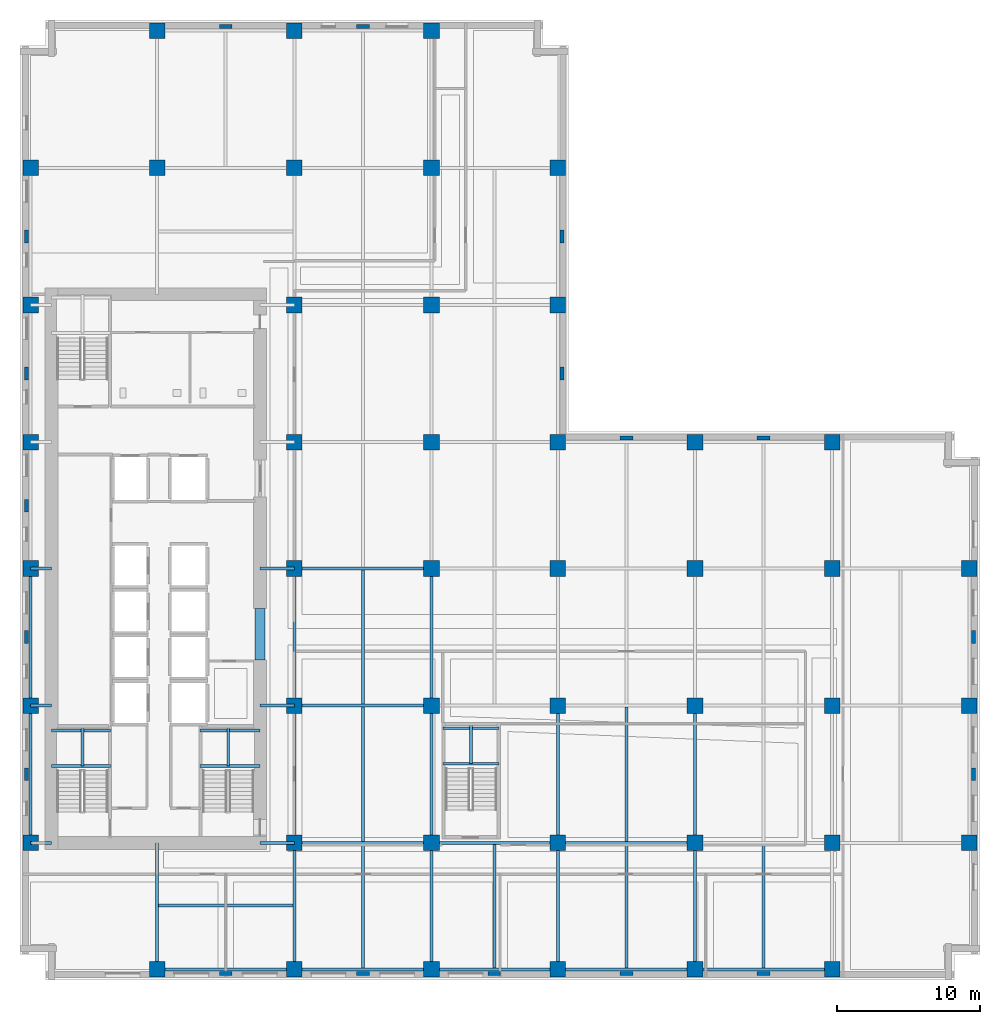
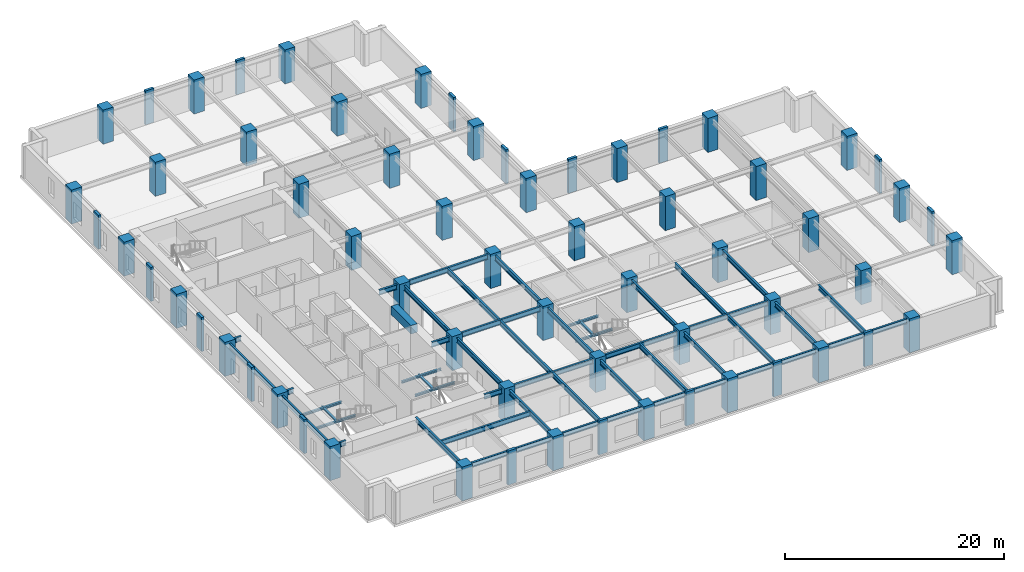
# One storey, part 1 of 13: 63 columns, 47 beams.
"""IFC4 building model written with IfcOpenShell, lengths in metres."""

from ifc_helpers import new_model, si_unit, direction, frame, origin, origin_2d, place, context, subcontext, project, spatial, rectangle, i_section, extrude, material, material_profile, profile_set, type_object, element, save


model = new_model("IFC4")

# Units and contexts
model_context = context("Model", 3, precision=1e-05, world=origin(), true_north=direction((0.0, 1.0)))
body_context = subcontext(model_context, "Body", "Model", "MODEL_VIEW")
ifc_project = project(units=[si_unit("LENGTHUNIT", "METRE"), si_unit("AREAUNIT", "SQUARE_METRE"), si_unit("VOLUMEUNIT", "CUBIC_METRE"), si_unit("PLANEANGLEUNIT", "RADIAN"), si_unit("MASSUNIT", "GRAM", prefix="KILO")], contexts=[model_context])

# Site, building, storey
site_placement = place(None, origin())
site = spatial("IfcSite", under=ifc_project, at=site_placement, CompositionType="ELEMENT")
building_placement = place(site_placement, origin())
building = spatial("IfcBuilding", under=site, at=building_placement, Name="Norrvale University Quadrangle", CompositionType="ELEMENT")
storey_placement = place(building_placement, frame((0.0, 0.0, 77.39990234375)))
storey = spatial("IfcBuildingStorey", under=building, at=storey_placement, Name="L19", CompositionType="ELEMENT", Elevation=77.39990234375)

# Columns
ifc_material_1 = material(Name="Buff Brick Concrete C60/75", Category="concrete")
ifc_material_profile_1 = material_profile(ifc_material_1, rectangle(XDim=0.89990234375, YDim=0.280029296875, at=origin_2d()), Name="Buff Brick Concrete C60/75")
ifc_profile_set_1 = profile_set([ifc_material_profile_1], Name="Buff Brick Concrete C60/75")
column_type_1 = type_object("IfcColumnType", Name="Column Buff Pier 900x280", PredefinedType="PILASTER", material=ifc_profile_set_1)
for number, where, z_axis, x_axis, name in (
    (1, (0.449951171875, 14.39990234375, 0.0), (0.0, 0.0, 1.0), (0.0, 1.0, 0.0), "Exterior Brick Facade Pilaster L19-01"),
    (2, (0.449951171875, 24.0, 0.0), (0.0, 0.0, 1.0), (0.0, 1.0, 0.0), "Exterior Brick Facade Pilaster L19-02"),
    (3, (0.449951171875, 33.199951171875, 0.0), (0.0, 0.0, 1.0), (0.0, 1.0, 0.0), "Exterior Brick Facade Pilaster L19-03"),
    (4, (0.449951171875, 42.449951171875, 0.0), (0.0, 0.0, 1.0), (0.0, 1.0, 0.0), "Exterior Brick Facade Pilaster L19-04"),
    (5, (0.449951171875, 52.050048828125, 0.0), (0.0, 0.0, 1.0), (0.0, 1.0, 0.0), "Exterior Brick Facade Pilaster L19-05"),
    (6, (14.39990234375, 0.449951171875, 0.0), (0.0, 0.0, 1.0), (1.0, 0.0, 0.0), "Exterior Brick Facade Pilaster L19-06"),
    (7, (24.0, 0.449951171875, 0.0), (0.0, 0.0, 1.0), (1.0, 0.0, 0.0), "Exterior Brick Facade Pilaster L19-07"),
    (8, (33.199951171875, 0.449951171875, 0.0), (0.0, 0.0, 1.0), (1.0, 0.0, 0.0), "Exterior Brick Facade Pilaster L19-08"),
    (9, (42.449951171875, 0.449951171875, 0.0), (0.0, 0.0, 1.0), (1.0, 0.0, 0.0), "Exterior Brick Facade Pilaster L19-09"),
    (10, (52.050048828125, 0.449951171875, 0.0), (0.0, 0.0, 1.0), (1.0, 0.0, 0.0), "Exterior Brick Facade Pilaster L19-10"),
    (11, (66.75, 14.39990234375, 0.0), (0.0, 0.0, 1.0), (0.0, 1.0, 0.0), "Exterior Brick Facade Pilaster L19-11"),
    (12, (66.75, 24.0, 0.0), (0.0, 0.0, 1.0), (0.0, 1.0, 0.0), "Exterior Brick Facade Pilaster L19-12"),
    (13, (14.39990234375, 66.75, 0.0), (0.0, 0.0, 1.0), (1.0, 0.0, 0.0), "Exterior Brick Facade Pilaster L19-13"),
    (14, (24.0, 66.75, 0.0), (0.0, 0.0, 1.0), (1.0, 0.0, 0.0), "Exterior Brick Facade Pilaster L19-14"),
    (15, (37.949951171875, 42.449951171875, 0.0), (0.0, 0.0, 1.0), (0.0, 1.0, 0.0), "Exterior Brick Facade Pilaster L19-15"),
    (16, (37.949951171875, 52.050048828125, 0.0), (0.0, 0.0, 1.0), (0.0, 1.0, 0.0), "Exterior Brick Facade Pilaster L19-16"),
    (17, (42.449951171875, 37.949951171875, 0.0), (0.0, 0.0, 1.0), (1.0, 0.0, 0.0), "Exterior Brick Facade Pilaster L19-17"),
    (18, (52.050048828125, 37.949951171875, 0.0), (0.0, 0.0, 1.0), (1.0, 0.0, 0.0), "Exterior Brick Facade Pilaster L19-18"),
):
    element("IfcColumn", number, at=place(storey_placement, frame(where, z_axis=z_axis, x_axis=x_axis)), inside=storey, type_object=column_type_1, Name=name, PredefinedType="PILASTER", context=body_context, shape_type="SweptSolid", body=[
        extrude(rectangle(XDim=0.89990234375, YDim=0.280029296875, at=origin_2d()), origin(), (0.0, 0.0, 1.0), 3.800048828125),
    ])
ifc_material_2 = material(Name="Concrete C80/95", Category="concrete")
ifc_material_profile_2 = material_profile(ifc_material_2, rectangle(XDim=1.10009765625, YDim=1.10009765625, at=origin_2d()), Name="Concrete C80/95")
ifc_profile_set_2 = profile_set([ifc_material_profile_2], Name="Concrete C80/95")
column_type_2 = type_object("IfcColumnType", Name="Column Tower Z1 1100x1100", PredefinedType="COLUMN", material=ifc_profile_set_2)
for number, where, z_axis, x_axis, name in (
    (19, (0.75, 9.60009765625, 0.0), (0.0, 0.0, 1.0), (1.0, 0.0, 0.0), "Tower Column L19-T01"),
    (20, (0.75, 19.199951171875, 0.0), (0.0, 0.0, 1.0), (1.0, 0.0, 0.0), "Tower Column L19-T02"),
    (21, (0.75, 28.800048828125, 0.0), (0.0, 0.0, 1.0), (1.0, 0.0, 0.0), "Tower Column L19-T03"),
    (22, (0.75, 37.64990234375, 0.0), (0.0, 0.0, 1.0), (1.0, 0.0, 0.0), "Tower Column L19-T04"),
    (23, (0.75, 47.25, 0.0), (0.0, 0.0, 1.0), (1.0, 0.0, 0.0), "Tower Column L19-T05"),
    (24, (0.75, 56.85009765625, 0.0), (0.0, 0.0, 1.0), (1.0, 0.0, 0.0), "Tower Column L19-T06"),
    (25, (9.60009765625, 0.75, 0.0), (0.0, 0.0, 1.0), (1.0, 0.0, 0.0), "Tower Column L19-T07"),
    (26, (9.60009765625, 56.85009765625, 0.0), (0.0, 0.0, 1.0), (1.0, 0.0, 0.0), "Tower Column L19-T08"),
    (27, (9.60009765625, 66.449951171875, 0.0), (0.0, 0.0, 1.0), (1.0, 0.0, 0.0), "Tower Column L19-T09"),
    (28, (19.199951171875, 0.75, 0.0), (0.0, 0.0, 1.0), (1.0, 0.0, 0.0), "Tower Column L19-T10"),
    (29, (19.199951171875, 9.60009765625, 0.0), (0.0, 0.0, 1.0), (1.0, 0.0, 0.0), "Tower Column L19-T11"),
    (30, (19.199951171875, 19.199951171875, 0.0), (0.0, 0.0, 1.0), (1.0, 0.0, 0.0), "Tower Column L19-T12"),
    (31, (19.199951171875, 28.800048828125, 0.0), (0.0, 0.0, 1.0), (1.0, 0.0, 0.0), "Tower Column L19-T13"),
    (32, (19.199951171875, 37.64990234375, 0.0), (0.0, 0.0, 1.0), (1.0, 0.0, 0.0), "Tower Column L19-T14"),
    (33, (19.199951171875, 47.25, 0.0), (0.0, 0.0, 1.0), (1.0, 0.0, 0.0), "Tower Column L19-T15"),
    (34, (19.199951171875, 56.85009765625, 0.0), (0.0, 0.0, 1.0), (1.0, 0.0, 0.0), "Tower Column L19-T16"),
    (35, (19.199951171875, 66.449951171875, 0.0), (0.0, 0.0, 1.0), (1.0, 0.0, 0.0), "Tower Column L19-T17"),
    (36, (28.800048828125, 0.75, 0.0), (0.0, 0.0, 1.0), (1.0, 0.0, 0.0), "Tower Column L19-T18"),
    (37, (28.800048828125, 9.60009765625, 0.0), (0.0, 0.0, 1.0), (1.0, 0.0, 0.0), "Tower Column L19-T19"),
    (38, (28.800048828125, 19.199951171875, 0.0), (0.0, 0.0, 1.0), (1.0, 0.0, 0.0), "Tower Column L19-T20"),
    (39, (28.800048828125, 28.800048828125, 0.0), (0.0, 0.0, 1.0), (1.0, 0.0, 0.0), "Tower Column L19-T21"),
    (40, (28.800048828125, 37.64990234375, 0.0), (0.0, 0.0, 1.0), (1.0, 0.0, 0.0), "Tower Column L19-T22"),
    (41, (28.800048828125, 47.25, 0.0), (0.0, 0.0, 1.0), (1.0, 0.0, 0.0), "Tower Column L19-T23"),
    (42, (28.800048828125, 56.85009765625, 0.0), (0.0, 0.0, 1.0), (1.0, 0.0, 0.0), "Tower Column L19-T24"),
    (43, (28.800048828125, 66.449951171875, 0.0), (0.0, 0.0, 1.0), (1.0, 0.0, 0.0), "Tower Column L19-T25"),
    (44, (37.64990234375, 0.75, 0.0), (0.0, 0.0, 1.0), (1.0, 0.0, 0.0), "Tower Column L19-T26"),
    (45, (37.64990234375, 9.60009765625, 0.0), (0.0, 0.0, 1.0), (1.0, 0.0, 0.0), "Tower Column L19-T27"),
    (46, (37.64990234375, 19.199951171875, 0.0), (0.0, 0.0, 1.0), (1.0, 0.0, 0.0), "Tower Column L19-T28"),
    (47, (37.64990234375, 28.800048828125, 0.0), (0.0, 0.0, 1.0), (1.0, 0.0, 0.0), "Tower Column L19-T29"),
    (48, (37.64990234375, 37.64990234375, 0.0), (0.0, 0.0, 1.0), (1.0, 0.0, 0.0), "Tower Column L19-T30"),
    (49, (37.64990234375, 47.25, 0.0), (0.0, 0.0, 1.0), (1.0, 0.0, 0.0), "Tower Column L19-T31"),
    (50, (37.64990234375, 56.85009765625, 0.0), (0.0, 0.0, 1.0), (1.0, 0.0, 0.0), "Tower Column L19-T32"),
    (51, (47.25, 0.75, 0.0), (0.0, 0.0, 1.0), (1.0, 0.0, 0.0), "Tower Column L19-T33"),
    (52, (47.25, 9.60009765625, 0.0), (0.0, 0.0, 1.0), (1.0, 0.0, 0.0), "Tower Column L19-T34"),
    (53, (47.25, 19.199951171875, 0.0), (0.0, 0.0, 1.0), (1.0, 0.0, 0.0), "Tower Column L19-T35"),
    (54, (47.25, 28.800048828125, 0.0), (0.0, 0.0, 1.0), (1.0, 0.0, 0.0), "Tower Column L19-T36"),
    (55, (47.25, 37.64990234375, 0.0), (0.0, 0.0, 1.0), (1.0, 0.0, 0.0), "Tower Column L19-T37"),
    (56, (56.85009765625, 0.75, 0.0), (0.0, 0.0, 1.0), (1.0, 0.0, 0.0), "Tower Column L19-T38"),
    (57, (56.85009765625, 9.60009765625, 0.0), (0.0, 0.0, 1.0), (1.0, 0.0, 0.0), "Tower Column L19-T39"),
    (58, (56.85009765625, 19.199951171875, 0.0), (0.0, 0.0, 1.0), (1.0, 0.0, 0.0), "Tower Column L19-T40"),
    (59, (56.85009765625, 28.800048828125, 0.0), (0.0, 0.0, 1.0), (1.0, 0.0, 0.0), "Tower Column L19-T41"),
    (60, (56.85009765625, 37.64990234375, 0.0), (0.0, 0.0, 1.0), (1.0, 0.0, 0.0), "Tower Column L19-T42"),
    (61, (66.449951171875, 9.60009765625, 0.0), (0.0, 0.0, 1.0), (1.0, 0.0, 0.0), "Tower Column L19-T43"),
    (62, (66.449951171875, 19.199951171875, 0.0), (0.0, 0.0, 1.0), (1.0, 0.0, 0.0), "Tower Column L19-T44"),
    (63, (66.449951171875, 28.800048828125, 0.0), (0.0, 0.0, 1.0), (1.0, 0.0, 0.0), "Tower Column L19-T45"),
):
    element("IfcColumn", number, at=place(storey_placement, frame(where, z_axis=z_axis, x_axis=x_axis)), inside=storey, type_object=column_type_2, Name=name, PredefinedType="COLUMN", context=body_context, shape_type="SweptSolid", body=[
        extrude(rectangle(XDim=1.10009765625, YDim=1.10009765625, at=origin_2d()), origin(), (0.0, 0.0, 1.0), 3.800048828125),
    ])

# Beams
ifc_material_profile_3 = material_profile(ifc_material_2, rectangle(XDim=0.699951171875, YDim=0.949951171875, at=origin_2d()), Name="Concrete C80/95")
ifc_profile_set_3 = profile_set([ifc_material_profile_3], Name="Concrete C80/95")
beam_type_1 = type_object("IfcBeamType", Name="Beam Core Link 700x950", PredefinedType="LINTEL", material=ifc_profile_set_3)
beam_1_placement = place(storey_placement, frame((16.800048828125, 22.39990234375, 3.065185546875), z_axis=(0.0, 1.0, 0.0), x_axis=(-1.0, 0.0, 0.0)))
element("IfcBeam", 64, at=beam_1_placement, inside=storey, type_object=beam_type_1, Name="Core Coupling Lintel Beam L19-1", PredefinedType="LINTEL", context=body_context, shape_type="SweptSolid", body=[
    extrude(rectangle(XDim=0.699951171875, YDim=0.949951171875, at=origin_2d()), origin(), (0.0, 0.0, 1.0), 3.60009765625),
])
ifc_material_3 = material(Name="Steel 350W", Category="steel")
ifc_material_profile_4 = material_profile(ifc_material_3, i_section(OverallWidth=0.2119140625, OverallDepth=0.5439453125, WebThickness=0.01318359375, FlangeThickness=0.021240234375, FilletRadius=0.013916015625, at=origin_2d()), Name="Steel 350W")
ifc_profile_set_4 = profile_set([ifc_material_profile_4], Name="Steel 350W")
beam_type_2 = type_object("IfcBeamType", Name="Beam Floor W530x123", PredefinedType="BEAM", material=ifc_profile_set_4)
beam_2_placement = place(storey_placement, frame((9.60009765625, 0.75, 3.26806640625), z_axis=(1.0, 0.0, 0.0), x_axis=(0.0, 1.0, 0.0)))
element("IfcBeam", 65, at=beam_2_placement, inside=storey, type_object=beam_type_2, Name="Beam Floor W530x123 BM-L19-GX001", PredefinedType="BEAM", context=body_context, shape_type="SweptSolid", body=[
    extrude(i_section(OverallWidth=0.2119140625, OverallDepth=0.5439453125, WebThickness=0.01318359375, FlangeThickness=0.021240234375, FilletRadius=0.013916015625, at=origin_2d()), origin(), (0.0, 0.0, 1.0), 9.599853515625),
])
beam_3_placement = place(storey_placement, frame((19.199951171875, 0.75, 3.26806640625), z_axis=(1.0, 0.0, 0.0), x_axis=(0.0, 1.0, 0.0)))
element("IfcBeam", 66, at=beam_3_placement, inside=storey, type_object=beam_type_2, Name="Beam Floor W530x123 BM-L19-GX002", PredefinedType="BEAM", context=body_context, shape_type="SweptSolid", body=[
    extrude(i_section(OverallWidth=0.2119140625, OverallDepth=0.5439453125, WebThickness=0.01318359375, FlangeThickness=0.021240234375, FilletRadius=0.013916015625, at=origin_2d()), origin(), (0.0, 0.0, 1.0), 9.60009765625),
])
beam_4_placement = place(storey_placement, frame((28.800048828125, 0.75, 3.26806640625), z_axis=(1.0, 0.0, 0.0), x_axis=(0.0, 1.0, 0.0)))
element("IfcBeam", 67, at=beam_4_placement, inside=storey, type_object=beam_type_2, Name="Beam Floor W530x123 BM-L19-GX003", PredefinedType="BEAM", context=body_context, shape_type="SweptSolid", body=[
    extrude(i_section(OverallWidth=0.2119140625, OverallDepth=0.5439453125, WebThickness=0.01318359375, FlangeThickness=0.021240234375, FilletRadius=0.013916015625, at=origin_2d()), origin(), (0.0, 0.0, 1.0), 8.849853515625),
])
for number, where, z_axis, x_axis, name in (
    (68, (37.64990234375, 0.75, 3.26806640625), (1.0, 0.0, 0.0), (0.0, 1.0, 0.0), "Beam Floor W530x123 BM-L19-GX004"),
    (69, (47.25, 0.75, 3.26806640625), (1.0, 0.0, 0.0), (0.0, 1.0, 0.0), "Beam Floor W530x123 BM-L19-GX005"),
    (70, (19.199951171875, 9.60009765625, 3.26806640625), (1.0, 0.0, 0.0), (0.0, 1.0, 0.0), "Beam Floor W530x123 BM-L19-GX006"),
):
    element("IfcBeam", number, at=place(storey_placement, frame(where, z_axis=z_axis, x_axis=x_axis)), inside=storey, type_object=beam_type_2, Name=name, PredefinedType="BEAM", context=body_context, shape_type="SweptSolid", body=[
        extrude(i_section(OverallWidth=0.2119140625, OverallDepth=0.5439453125, WebThickness=0.01318359375, FlangeThickness=0.021240234375, FilletRadius=0.013916015625, at=origin_2d()), origin(), (0.0, 0.0, 1.0), 9.60009765625),
    ])
beam_5_placement = place(storey_placement, frame((28.800048828125, 9.60009765625, 3.26806640625), z_axis=(1.0, 0.0, 0.0), x_axis=(0.0, 1.0, 0.0)))
element("IfcBeam", 71, at=beam_5_placement, inside=storey, type_object=beam_type_2, Name="Beam Floor W530x123 BM-L19-GX007", PredefinedType="BEAM", context=body_context, shape_type="SweptSolid", body=[
    extrude(i_section(OverallWidth=0.2119140625, OverallDepth=0.5439453125, WebThickness=0.01318359375, FlangeThickness=0.021240234375, FilletRadius=0.013916015625, at=origin_2d()), origin(), (0.0, 0.0, 1.0), 8.849853515625),
])
for number, where, z_axis, x_axis, name in (
    (72, (37.64990234375, 9.60009765625, 3.26806640625), (1.0, 0.0, 0.0), (0.0, 1.0, 0.0), "Beam Floor W530x123 BM-L19-GX008"),
    (73, (19.199951171875, 19.199951171875, 3.26806640625), (1.0, 0.0, 0.0), (0.0, 1.0, 0.0), "Beam Floor W530x123 BM-L19-GX011"),
    (74, (19.199951171875, 28.800048828125, 3.26806640625), (1.0, 0.0, 0.0), (0.0, 1.0, 0.0), "Beam Floor W530x123 BM-L19-GX016"),
):
    element("IfcBeam", number, at=place(storey_placement, frame(where, z_axis=z_axis, x_axis=x_axis)), inside=storey, type_object=beam_type_2, Name=name, PredefinedType="BEAM", context=body_context, shape_type="SweptSolid", body=[
        extrude(i_section(OverallWidth=0.2119140625, OverallDepth=0.5439453125, WebThickness=0.01318359375, FlangeThickness=0.021240234375, FilletRadius=0.013916015625, at=origin_2d()), origin(), (0.0, 0.0, 1.0), 9.60009765625),
    ])
beam_6_placement = place(storey_placement, frame((0.75, 9.60009765625, 3.26806640625), z_axis=(0.0, 1.0, 0.0), x_axis=(-1.0, 0.0, 0.0)))
element("IfcBeam", 75, at=beam_6_placement, inside=storey, type_object=beam_type_2, Name="Beam Floor W530x123 BM-L19-GY033", PredefinedType="BEAM", context=body_context, shape_type="SweptSolid", body=[
    extrude(i_section(OverallWidth=0.2119140625, OverallDepth=0.5439453125, WebThickness=0.01318359375, FlangeThickness=0.021240234375, FilletRadius=0.013916015625, at=origin_2d()), origin(), (0.0, 0.0, 1.0), 9.599853515625),
])
beam_7_placement = place(storey_placement, frame((0.75, 19.199951171875, 3.26806640625), z_axis=(0.0, 1.0, 0.0), x_axis=(-1.0, 0.0, 0.0)))
element("IfcBeam", 76, at=beam_7_placement, inside=storey, type_object=beam_type_2, Name="Beam Floor W530x123 BM-L19-GY034", PredefinedType="BEAM", context=body_context, shape_type="SweptSolid", body=[
    extrude(i_section(OverallWidth=0.2119140625, OverallDepth=0.5439453125, WebThickness=0.01318359375, FlangeThickness=0.021240234375, FilletRadius=0.013916015625, at=origin_2d()), origin(), (0.0, 0.0, 1.0), 9.60009765625),
])
beam_8_placement = place(storey_placement, frame((19.199951171875, 0.75, 3.26806640625), z_axis=(0.0, 1.0, 0.0), x_axis=(-1.0, 0.0, 0.0)))
element("IfcBeam", 77, at=beam_8_placement, inside=storey, type_object=beam_type_2, Name="Beam Floor W530x123 BM-L19-GY039", PredefinedType="BEAM", context=body_context, shape_type="SweptSolid", body=[
    extrude(i_section(OverallWidth=0.2119140625, OverallDepth=0.5439453125, WebThickness=0.01318359375, FlangeThickness=0.021240234375, FilletRadius=0.013916015625, at=origin_2d()), origin(), (0.0, 0.0, 1.0), 8.85009765625),
])
beam_9_placement = place(storey_placement, frame((19.199951171875, 9.60009765625, 3.26806640625), z_axis=(0.0, 1.0, 0.0), x_axis=(-1.0, 0.0, 0.0)))
element("IfcBeam", 78, at=beam_9_placement, inside=storey, type_object=beam_type_2, Name="Beam Floor W530x123 BM-L19-GY040", PredefinedType="BEAM", context=body_context, shape_type="SweptSolid", body=[
    extrude(i_section(OverallWidth=0.2119140625, OverallDepth=0.5439453125, WebThickness=0.01318359375, FlangeThickness=0.021240234375, FilletRadius=0.013916015625, at=origin_2d()), origin(), (0.0, 0.0, 1.0), 9.599853515625),
])
beam_10_placement = place(storey_placement, frame((19.199951171875, 19.199951171875, 3.26806640625), z_axis=(0.0, 1.0, 0.0), x_axis=(-1.0, 0.0, 0.0)))
element("IfcBeam", 79, at=beam_10_placement, inside=storey, type_object=beam_type_2, Name="Beam Floor W530x123 BM-L19-GY041", PredefinedType="BEAM", context=body_context, shape_type="SweptSolid", body=[
    extrude(i_section(OverallWidth=0.2119140625, OverallDepth=0.5439453125, WebThickness=0.01318359375, FlangeThickness=0.021240234375, FilletRadius=0.013916015625, at=origin_2d()), origin(), (0.0, 0.0, 1.0), 9.60009765625),
])
beam_11_placement = place(storey_placement, frame((28.800048828125, 0.75, 3.26806640625), z_axis=(0.0, 1.0, 0.0), x_axis=(-1.0, 0.0, 0.0)))
element("IfcBeam", 80, at=beam_11_placement, inside=storey, type_object=beam_type_2, Name="Beam Floor W530x123 BM-L19-GY046", PredefinedType="BEAM", context=body_context, shape_type="SweptSolid", body=[
    extrude(i_section(OverallWidth=0.2119140625, OverallDepth=0.5439453125, WebThickness=0.01318359375, FlangeThickness=0.021240234375, FilletRadius=0.013916015625, at=origin_2d()), origin(), (0.0, 0.0, 1.0), 8.85009765625),
])
beam_12_placement = place(storey_placement, frame((28.800048828125, 9.60009765625, 3.26806640625), z_axis=(0.0, 1.0, 0.0), x_axis=(-1.0, 0.0, 0.0)))
element("IfcBeam", 81, at=beam_12_placement, inside=storey, type_object=beam_type_2, Name="Beam Floor W530x123 BM-L19-GY047", PredefinedType="BEAM", context=body_context, shape_type="SweptSolid", body=[
    extrude(i_section(OverallWidth=0.2119140625, OverallDepth=0.5439453125, WebThickness=0.01318359375, FlangeThickness=0.021240234375, FilletRadius=0.013916015625, at=origin_2d()), origin(), (0.0, 0.0, 1.0), 9.599853515625),
])
beam_13_placement = place(storey_placement, frame((28.800048828125, 19.199951171875, 3.26806640625), z_axis=(0.0, 1.0, 0.0), x_axis=(-1.0, 0.0, 0.0)))
element("IfcBeam", 82, at=beam_13_placement, inside=storey, type_object=beam_type_2, Name="Beam Floor W530x123 BM-L19-GY048", PredefinedType="BEAM", context=body_context, shape_type="SweptSolid", body=[
    extrude(i_section(OverallWidth=0.2119140625, OverallDepth=0.5439453125, WebThickness=0.01318359375, FlangeThickness=0.021240234375, FilletRadius=0.013916015625, at=origin_2d()), origin(), (0.0, 0.0, 1.0), 9.60009765625),
])
beam_14_placement = place(storey_placement, frame((37.64990234375, 0.75, 3.26806640625), z_axis=(0.0, 1.0, 0.0), x_axis=(-1.0, 0.0, 0.0)))
element("IfcBeam", 83, at=beam_14_placement, inside=storey, type_object=beam_type_2, Name="Beam Floor W530x123 BM-L19-GY053", PredefinedType="BEAM", context=body_context, shape_type="SweptSolid", body=[
    extrude(i_section(OverallWidth=0.2119140625, OverallDepth=0.5439453125, WebThickness=0.01318359375, FlangeThickness=0.021240234375, FilletRadius=0.013916015625, at=origin_2d()), origin(), (0.0, 0.0, 1.0), 8.85009765625),
])
beam_15_placement = place(storey_placement, frame((37.64990234375, 9.60009765625, 3.26806640625), z_axis=(0.0, 1.0, 0.0), x_axis=(-1.0, 0.0, 0.0)))
element("IfcBeam", 84, at=beam_15_placement, inside=storey, type_object=beam_type_2, Name="Beam Floor W530x123 BM-L19-GY054", PredefinedType="BEAM", context=body_context, shape_type="SweptSolid", body=[
    extrude(i_section(OverallWidth=0.2119140625, OverallDepth=0.5439453125, WebThickness=0.01318359375, FlangeThickness=0.021240234375, FilletRadius=0.013916015625, at=origin_2d()), origin(), (0.0, 0.0, 1.0), 9.599853515625),
])
beam_16_placement = place(storey_placement, frame((47.25, 0.75, 3.26806640625), z_axis=(0.0, 1.0, 0.0), x_axis=(-1.0, 0.0, 0.0)))
element("IfcBeam", 85, at=beam_16_placement, inside=storey, type_object=beam_type_2, Name="Beam Floor W530x123 BM-L19-GY059", PredefinedType="BEAM", context=body_context, shape_type="SweptSolid", body=[
    extrude(i_section(OverallWidth=0.2119140625, OverallDepth=0.5439453125, WebThickness=0.01318359375, FlangeThickness=0.021240234375, FilletRadius=0.013916015625, at=origin_2d()), origin(), (0.0, 0.0, 1.0), 8.85009765625),
])
beam_17_placement = place(storey_placement, frame((47.25, 9.60009765625, 3.26806640625), z_axis=(0.0, 1.0, 0.0), x_axis=(-1.0, 0.0, 0.0)))
element("IfcBeam", 86, at=beam_17_placement, inside=storey, type_object=beam_type_2, Name="Beam Floor W530x123 BM-L19-GY060", PredefinedType="BEAM", context=body_context, shape_type="SweptSolid", body=[
    extrude(i_section(OverallWidth=0.2119140625, OverallDepth=0.5439453125, WebThickness=0.01318359375, FlangeThickness=0.021240234375, FilletRadius=0.013916015625, at=origin_2d()), origin(), (0.0, 0.0, 1.0), 9.599853515625),
])
beam_18_placement = place(storey_placement, frame((0.75, 9.60009765625, 3.26806640625), z_axis=(1.0, 0.0, 0.0), x_axis=(0.0, 1.0, 0.0)))
element("IfcBeam", 87, at=beam_18_placement, inside=storey, type_object=beam_type_2, Name="Beam Floor W530x123 BM-L19-GCW069", PredefinedType="BEAM", context=body_context, shape_type="SweptSolid", body=[
    extrude(i_section(OverallWidth=0.2119140625, OverallDepth=0.5439453125, WebThickness=0.01318359375, FlangeThickness=0.021240234375, FilletRadius=0.013916015625, at=origin_2d()), origin(), (0.0, 0.0, 1.0), 1.449951171875),
])
beam_19_placement = place(storey_placement, frame((16.800048828125, 9.60009765625, 3.26806640625), z_axis=(1.0, 0.0, 0.0), x_axis=(0.0, 1.0, 0.0)))
element("IfcBeam", 88, at=beam_19_placement, inside=storey, type_object=beam_type_2, Name="Beam Floor W530x123 BM-L19-GCE070", PredefinedType="BEAM", context=body_context, shape_type="SweptSolid", body=[
    extrude(i_section(OverallWidth=0.2119140625, OverallDepth=0.5439453125, WebThickness=0.01318359375, FlangeThickness=0.021240234375, FilletRadius=0.013916015625, at=origin_2d()), origin(), (0.0, 0.0, 1.0), 2.39990234375),
])
beam_20_placement = place(storey_placement, frame((0.75, 19.199951171875, 3.26806640625), z_axis=(1.0, 0.0, 0.0), x_axis=(0.0, 1.0, 0.0)))
element("IfcBeam", 89, at=beam_20_placement, inside=storey, type_object=beam_type_2, Name="Beam Floor W530x123 BM-L19-GCW071", PredefinedType="BEAM", context=body_context, shape_type="SweptSolid", body=[
    extrude(i_section(OverallWidth=0.2119140625, OverallDepth=0.5439453125, WebThickness=0.01318359375, FlangeThickness=0.021240234375, FilletRadius=0.013916015625, at=origin_2d()), origin(), (0.0, 0.0, 1.0), 1.449951171875),
])
beam_21_placement = place(storey_placement, frame((16.800048828125, 19.199951171875, 3.26806640625), z_axis=(1.0, 0.0, 0.0), x_axis=(0.0, 1.0, 0.0)))
element("IfcBeam", 90, at=beam_21_placement, inside=storey, type_object=beam_type_2, Name="Beam Floor W530x123 BM-L19-GCE072", PredefinedType="BEAM", context=body_context, shape_type="SweptSolid", body=[
    extrude(i_section(OverallWidth=0.2119140625, OverallDepth=0.5439453125, WebThickness=0.01318359375, FlangeThickness=0.021240234375, FilletRadius=0.013916015625, at=origin_2d()), origin(), (0.0, 0.0, 1.0), 2.39990234375),
])
beam_22_placement = place(storey_placement, frame((0.75, 28.800048828125, 3.26806640625), z_axis=(1.0, 0.0, 0.0), x_axis=(0.0, 1.0, 0.0)))
element("IfcBeam", 91, at=beam_22_placement, inside=storey, type_object=beam_type_2, Name="Beam Floor W530x123 BM-L19-GCW073", PredefinedType="BEAM", context=body_context, shape_type="SweptSolid", body=[
    extrude(i_section(OverallWidth=0.2119140625, OverallDepth=0.5439453125, WebThickness=0.01318359375, FlangeThickness=0.021240234375, FilletRadius=0.013916015625, at=origin_2d()), origin(), (0.0, 0.0, 1.0), 1.449951171875),
])
beam_23_placement = place(storey_placement, frame((16.800048828125, 28.800048828125, 3.26806640625), z_axis=(1.0, 0.0, 0.0), x_axis=(0.0, 1.0, 0.0)))
element("IfcBeam", 92, at=beam_23_placement, inside=storey, type_object=beam_type_2, Name="Beam Floor W530x123 BM-L19-GCE074", PredefinedType="BEAM", context=body_context, shape_type="SweptSolid", body=[
    extrude(i_section(OverallWidth=0.2119140625, OverallDepth=0.5439453125, WebThickness=0.01318359375, FlangeThickness=0.021240234375, FilletRadius=0.013916015625, at=origin_2d()), origin(), (0.0, 0.0, 1.0), 2.39990234375),
])
beam_24_placement = place(storey_placement, frame((9.60009765625, 0.75, 3.26806640625), z_axis=(0.0, 1.0, 0.0), x_axis=(-1.0, 0.0, 0.0)))
element("IfcBeam", 93, at=beam_24_placement, inside=storey, type_object=beam_type_2, Name="Beam Floor W530x123 BM-L19-GCS102", PredefinedType="BEAM", context=body_context, shape_type="SweptSolid", body=[
    extrude(i_section(OverallWidth=0.2119140625, OverallDepth=0.5439453125, WebThickness=0.01318359375, FlangeThickness=0.021240234375, FilletRadius=0.013916015625, at=origin_2d()), origin(), (0.0, 0.0, 1.0), 8.85009765625),
])
ifc_material_profile_5 = material_profile(ifc_material_3, i_section(OverallWidth=0.208984375, OverallDepth=0.532958984375, WebThickness=0.01025390625, FlangeThickness=0.015625, FilletRadius=0.013916015625, at=origin_2d()), Name="Steel 350W")
ifc_profile_set_5 = profile_set([ifc_material_profile_5], Name="Steel 350W")
beam_type_3 = type_object("IfcBeamType", Name="Beam Floor W530x92", PredefinedType="JOIST", material=ifc_profile_set_5)
beam_25_placement = place(storey_placement, frame((24.0, 0.85595703125, 3.273681640625), z_axis=(0.0, 1.0, 0.0), x_axis=(-1.0, 0.0, 0.0)))
element("IfcBeam", 94, at=beam_25_placement, inside=storey, type_object=beam_type_3, Name="Beam Floor W530x92 BM-L19-J080", PredefinedType="JOIST", context=body_context, shape_type="SweptSolid", body=[
    extrude(i_section(OverallWidth=0.208984375, OverallDepth=0.532958984375, WebThickness=0.01025390625, FlangeThickness=0.015625, FilletRadius=0.013916015625, at=origin_2d()), origin(), (0.0, 0.0, 1.0), 8.637939453125),
])
beam_26_placement = place(storey_placement, frame((24.0, 9.7060546875, 3.273681640625), z_axis=(0.0, 1.0, 0.0), x_axis=(-1.0, 0.0, 0.0)))
element("IfcBeam", 95, at=beam_26_placement, inside=storey, type_object=beam_type_3, Name="Beam Floor W530x92 BM-L19-J081", PredefinedType="JOIST", context=body_context, shape_type="SweptSolid", body=[
    extrude(i_section(OverallWidth=0.208984375, OverallDepth=0.532958984375, WebThickness=0.01025390625, FlangeThickness=0.015625, FilletRadius=0.013916015625, at=origin_2d()), origin(), (0.0, 0.0, 1.0), 9.387939453125),
])
beam_27_placement = place(storey_placement, frame((24.0, 19.305908203125, 3.273681640625), z_axis=(0.0, 1.0, 0.0), x_axis=(-1.0, 0.0, 0.0)))
element("IfcBeam", 96, at=beam_27_placement, inside=storey, type_object=beam_type_3, Name="Beam Floor W530x92 BM-L19-J082", PredefinedType="JOIST", context=body_context, shape_type="SweptSolid", body=[
    extrude(i_section(OverallWidth=0.208984375, OverallDepth=0.532958984375, WebThickness=0.01025390625, FlangeThickness=0.015625, FilletRadius=0.013916015625, at=origin_2d()), origin(), (0.0, 0.0, 1.0), 9.38818359375),
])
for number, where, z_axis, x_axis, name in (
    (97, (33.22509765625, 0.85595703125, 3.273681640625), (0.0, 1.0, 0.0), (-1.0, 0.0, 0.0), "Beam Floor W530x92 BM-L19-J087"),
    (98, (42.449951171875, 0.85595703125, 3.273681640625), (0.0, 1.0, 0.0), (-1.0, 0.0, 0.0), "Beam Floor W530x92 BM-L19-J092"),
):
    element("IfcBeam", number, at=place(storey_placement, frame(where, z_axis=z_axis, x_axis=x_axis)), inside=storey, type_object=beam_type_3, Name=name, PredefinedType="JOIST", context=body_context, shape_type="SweptSolid", body=[
        extrude(i_section(OverallWidth=0.208984375, OverallDepth=0.532958984375, WebThickness=0.01025390625, FlangeThickness=0.015625, FilletRadius=0.013916015625, at=origin_2d()), origin(), (0.0, 0.0, 1.0), 8.637939453125),
    ])
beam_28_placement = place(storey_placement, frame((42.449951171875, 9.7060546875, 3.273681640625), z_axis=(0.0, 1.0, 0.0), x_axis=(-1.0, 0.0, 0.0)))
element("IfcBeam", 99, at=beam_28_placement, inside=storey, type_object=beam_type_3, Name="Beam Floor W530x92 BM-L19-J093", PredefinedType="JOIST", context=body_context, shape_type="SweptSolid", body=[
    extrude(i_section(OverallWidth=0.208984375, OverallDepth=0.532958984375, WebThickness=0.01025390625, FlangeThickness=0.015625, FilletRadius=0.013916015625, at=origin_2d()), origin(), (0.0, 0.0, 1.0), 9.387939453125),
])
beam_29_placement = place(storey_placement, frame((52.050048828125, 0.85595703125, 3.273681640625), z_axis=(0.0, 1.0, 0.0), x_axis=(-1.0, 0.0, 0.0)))
element("IfcBeam", 100, at=beam_29_placement, inside=storey, type_object=beam_type_3, Name="Beam Floor W530x92 BM-L19-J096", PredefinedType="JOIST", context=body_context, shape_type="SweptSolid", body=[
    extrude(i_section(OverallWidth=0.208984375, OverallDepth=0.532958984375, WebThickness=0.01025390625, FlangeThickness=0.015625, FilletRadius=0.013916015625, at=origin_2d()), origin(), (0.0, 0.0, 1.0), 8.637939453125),
])
beam_30_placement = place(storey_placement, frame((9.7060546875, 5.199951171875, 3.273681640625), z_axis=(1.0, 0.0, 0.0), x_axis=(0.0, 1.0, 0.0)))
element("IfcBeam", 101, at=beam_30_placement, inside=storey, type_object=beam_type_3, Name="Beam Floor W530x92 BM-L19-JCS103", PredefinedType="JOIST", context=body_context, shape_type="SweptSolid", body=[
    extrude(i_section(OverallWidth=0.208984375, OverallDepth=0.532958984375, WebThickness=0.01025390625, FlangeThickness=0.015625, FilletRadius=0.013916015625, at=origin_2d()), origin(), (0.0, 0.0, 1.0), 9.387939453125),
])
ifc_material_profile_6 = material_profile(ifc_material_3, i_section(OverallWidth=0.201904296875, OverallDepth=0.2470703125, WebThickness=0.00732421875, FlangeThickness=0.010986328125, FilletRadius=0.011962890625, at=origin_2d()), Name="Steel 350W")
ifc_profile_set_6 = profile_set([ifc_material_profile_6], Name="Steel 350W")
beam_type_4 = type_object("IfcBeamType", Name="Beam Stair W250x49", PredefinedType="BEAM", material=ifc_profile_set_6)
for number, where, z_axis, x_axis, name in (
    (102, (2.199951171875, 14.989990234375, 1.57666015625), (1.0, 0.0, 0.0), (0.0, 1.0, 0.0), "Stair Mid-Landing Front Beam ST-01 L19"),
    (103, (2.199951171875, 17.469970703125, 1.57666015625), (1.0, 0.0, 0.0), (0.0, 1.0, 0.0), "Stair Mid-Landing Rear Beam ST-01 L19"),
):
    element("IfcBeam", number, at=place(storey_placement, frame(where, z_axis=z_axis, x_axis=x_axis)), inside=storey, type_object=beam_type_4, Name=name, PredefinedType="BEAM", context=body_context, shape_type="SweptSolid", body=[
        extrude(i_section(OverallWidth=0.201904296875, OverallDepth=0.2470703125, WebThickness=0.00732421875, FlangeThickness=0.010986328125, FilletRadius=0.011962890625, at=origin_2d()), origin(), (0.0, 0.0, 1.0), 4.14013671875),
    ])
for number, where, z_axis, x_axis, name in (
    (104, (12.610107421875, 14.989990234375, 1.57666015625), (1.0, 0.0, 0.0), (0.0, 1.0, 0.0), "Stair Mid-Landing Front Beam ST-03 L19"),
    (105, (12.610107421875, 17.469970703125, 1.57666015625), (1.0, 0.0, 0.0), (0.0, 1.0, 0.0), "Stair Mid-Landing Rear Beam ST-03 L19"),
):
    element("IfcBeam", number, at=place(storey_placement, frame(where, z_axis=z_axis, x_axis=x_axis)), inside=storey, type_object=beam_type_4, Name=name, PredefinedType="BEAM", context=body_context, shape_type="SweptSolid", body=[
        extrude(i_section(OverallWidth=0.201904296875, OverallDepth=0.2470703125, WebThickness=0.00732421875, FlangeThickness=0.010986328125, FilletRadius=0.011962890625, at=origin_2d()), origin(), (0.0, 0.0, 1.0), 4.18994140625),
    ])
for number, where, z_axis, x_axis, name in (
    (106, (29.610107421875, 15.139892578125, 1.57666015625), (1.0, 0.0, 0.0), (0.0, 1.0, 0.0), "Stair Mid-Landing Front Beam ST-04 L19"),
    (107, (29.610107421875, 17.6201171875, 1.57666015625), (1.0, 0.0, 0.0), (0.0, 1.0, 0.0), "Stair Mid-Landing Rear Beam ST-04 L19"),
):
    element("IfcBeam", number, at=place(storey_placement, frame(where, z_axis=z_axis, x_axis=x_axis)), inside=storey, type_object=beam_type_4, Name=name, PredefinedType="BEAM", context=body_context, shape_type="SweptSolid", body=[
        extrude(i_section(OverallWidth=0.201904296875, OverallDepth=0.2470703125, WebThickness=0.00732421875, FlangeThickness=0.010986328125, FilletRadius=0.011962890625, at=origin_2d()), origin(), (0.0, 0.0, 1.0), 3.929931640625),
    ])
ifc_material_profile_7 = material_profile(ifc_material_3, i_section(OverallWidth=0.202880859375, OverallDepth=0.202880859375, WebThickness=0.007080078125, FlangeThickness=0.010986328125, FilletRadius=0.010009765625, at=origin_2d()), Name="Steel 350W")
ifc_profile_set_7 = profile_set([ifc_material_profile_7], Name="Steel 350W")
beam_type_5 = type_object("IfcBeamType", Name="Beam Trim W200x46", PredefinedType="BEAM", material=ifc_profile_set_7)
for number, where, z_axis, x_axis, name in (
    (108, (4.375, 14.989990234375, 1.5986328125), (0.0, 1.0, 0.0), (-1.0, 0.0, 0.0), "Stair Mid-Landing Cross Beam ST-01 L19"),
    (109, (14.574951171875, 14.989990234375, 1.5986328125), (0.0, 1.0, 0.0), (-1.0, 0.0, 0.0), "Stair Mid-Landing Cross Beam ST-03 L19"),
    (110, (31.574951171875, 15.139892578125, 1.5986328125), (0.0, 1.0, 0.0), (-1.0, 0.0, 0.0), "Stair Mid-Landing Cross Beam ST-04 L19"),
):
    element("IfcBeam", number, at=place(storey_placement, frame(where, z_axis=z_axis, x_axis=x_axis)), inside=storey, type_object=beam_type_5, Name=name, PredefinedType="BEAM", context=body_context, shape_type="SweptSolid", body=[
        extrude(i_section(OverallWidth=0.202880859375, OverallDepth=0.202880859375, WebThickness=0.007080078125, FlangeThickness=0.010986328125, FilletRadius=0.010009765625, at=origin_2d()), origin(), (0.0, 0.0, 1.0), 2.800048828125),
    ])

save(model, "model.ifc")
